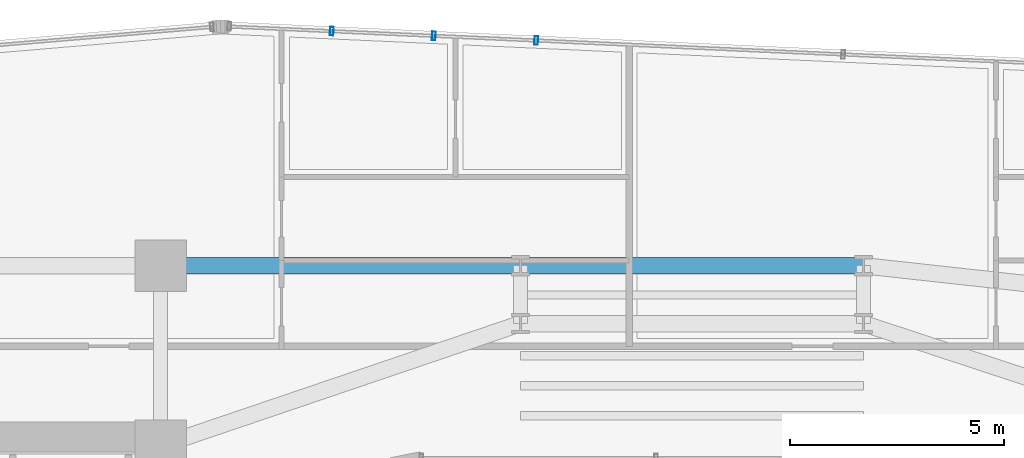
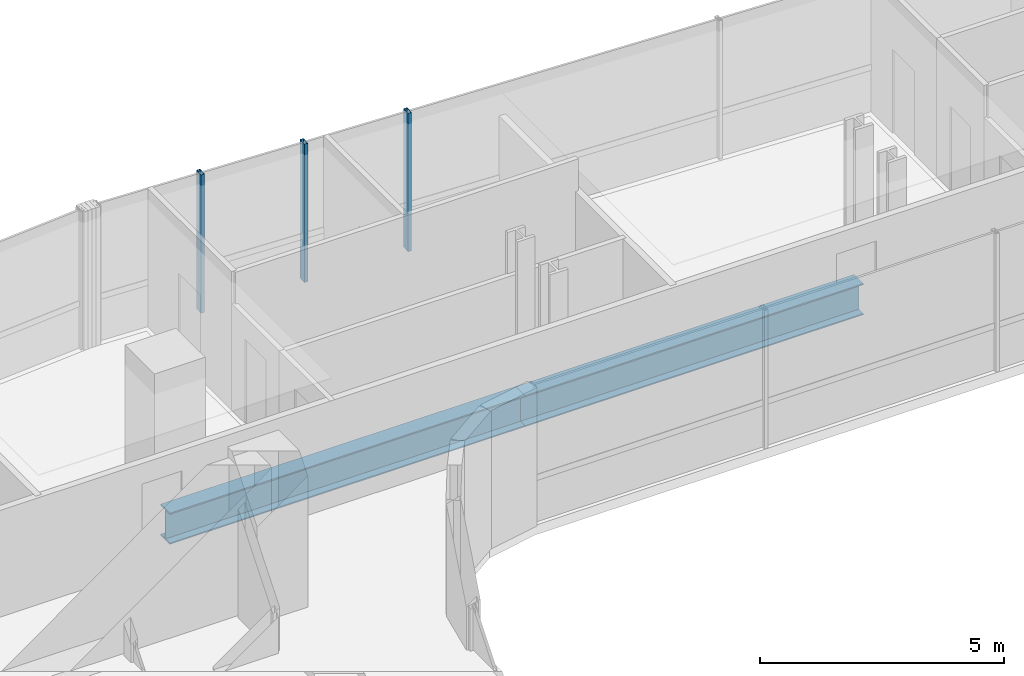
# One storey, part 20 of 35: 3 members, 2 beams, 1 element without a shape of its own.
"""IFC4 building model written with IfcOpenShell, lengths in metres."""

from ifc_helpers import new_model, si_unit, direction, frame, origin, origin_2d, place, context, subcontext, project, spatial, hollow_rectangle, i_section, extrude, source, transform, mapped, material, material_profile, profile_set, type_object, element, aggregate, save


model = new_model("IFC4")

# Units and contexts
model_context = context("Model", 3, precision=1e-05, world=origin(), true_north=direction((0.0, 1.0)))
body_context = subcontext(model_context, "Body", "Model", "MODEL_VIEW")
ifc_project = project(units=[si_unit("LENGTHUNIT", "METRE"), si_unit("AREAUNIT", "SQUARE_METRE"), si_unit("VOLUMEUNIT", "CUBIC_METRE"), si_unit("PLANEANGLEUNIT", "RADIAN"), si_unit("MASSUNIT", "GRAM", prefix="KILO")], contexts=[model_context])

# Site, building, storey
site_placement = place(None, origin())
site = spatial("IfcSite", under=ifc_project, at=site_placement, CompositionType="ELEMENT")
building_placement = place(site_placement, origin())
building = spatial("IfcBuilding", under=site, at=building_placement, Name="Valdorenza Pilgrim Sanctuary Tower", CompositionType="ELEMENT")
storey_placement = place(building_placement, frame((0.0, 0.0, 105.699951171875)))
storey = spatial("IfcBuildingStorey", under=building, at=storey_placement, Name="L26", CompositionType="ELEMENT", Elevation=105.699951171875)

# Beams
ifc_material_1 = material(Name="Steel ASTM A992 Grade 50", Category="steel")
ifc_material_profile_1 = material_profile(ifc_material_1, i_section(OverallWidth=0.382080078125, OverallDepth=0.779052734375, WebThickness=0.01806640625, FlangeThickness=0.030029296875, at=origin_2d()), Name="W30X191")
ifc_profile_set_1 = profile_set([ifc_material_profile_1], Name="Steel ASTM A992 Grade 50")
beam_type = type_object("IfcBeamType", Name="STR-BM-GRD-W30", PredefinedType="BEAM", material=ifc_profile_set_1)
shared_shape_1 = source(origin(), body_context, "Body", "SweptSolid", [
    extrude(i_section(OverallWidth=0.382080078125, OverallDepth=0.779052734375, WebThickness=0.01806640625, FlangeThickness=0.030029296875, at=origin_2d()), origin(), (0.0, 0.0, 1.0), 8.0),
])
beam_1_placement = place(storey_placement, frame((-4.0, 14.800048828125, -0.62939453125), z_axis=(1.0, 0.0, 0.0), x_axis=(0.0, 1.0, 0.0)))
element("IfcBeam", 1, at=beam_1_placement, inside=storey, type_object=beam_type, Name="L26 Floor Girder KNK-G5", PredefinedType="BEAM", context=body_context, shape_type="MappedRepresentation", body=[
    mapped(shared_shape_1, transform((0.0, 0.0, 0.0), x_axis=(1.0, 0.0, 0.0), y_axis=(0.0, 1.0, 0.0), z_axis=(0.0, 0.0, 1.0), scale=1.0)),
])
shared_shape_2 = source(origin(), body_context, "Body", "SweptSolid", [
    extrude(i_section(OverallWidth=0.382080078125, OverallDepth=0.779052734375, WebThickness=0.01806640625, FlangeThickness=0.030029296875, at=origin_2d()), origin(), (0.0, 0.0, 1.0), 8.39990234375),
])
beam_2_placement = place(storey_placement, frame((-12.39990234375, 14.800048828125, -0.62939453125), z_axis=(1.0, 0.0, 0.0), x_axis=(0.0, 1.0, 0.0)))
element("IfcBeam", 2, at=beam_2_placement, inside=storey, type_object=beam_type, Name="L26 Floor Girder KNK-G4", PredefinedType="BEAM", context=body_context, shape_type="MappedRepresentation", body=[
    mapped(shared_shape_2, transform((0.0, 0.0, 0.0), x_axis=(1.0, 0.0, 0.0), y_axis=(0.0, 1.0, 0.0), z_axis=(0.0, 0.0, 1.0), scale=1.0)),
])

# Curtain wall, members
ifc_material_2 = material(Name="Curtain-wall IGU glazing", Category="glass")
curtain_wall_type = type_object("IfcCurtainWallType", Name="CW-SYS-02", PredefinedType="NOTDEFINED", material=ifc_material_2)
curtain_wall_placement = place(storey_placement, origin())
curtain_wall = element("IfcCurtainWall", 3, at=curtain_wall_placement, inside=storey, type_object=curtain_wall_type, Name="L26 Curtain Wall CW-L26-1-11", PredefinedType="NOTDEFINED")
ifc_material_3 = material(Name="Anodised aluminium AW-6060", Category="aluminium")
ifc_material_profile_2 = material_profile(ifc_material_3, hollow_rectangle(XDim=0.0849609375, YDim=0.199951171875, WallThickness=0.0048828125, at=origin_2d()), Name="ALU-M 200x85x5")
ifc_profile_set_2 = profile_set([ifc_material_profile_2], Name="Anodised aluminium AW-6060")
member_type = type_object("IfcMemberType", Name="CW-MUL-02", PredefinedType="MULLION", material=ifc_profile_set_2)
shared_shape_3 = source(origin(), body_context, "Body", "SweptSolid", [
    extrude(hollow_rectangle(XDim=0.0849609375, YDim=0.199951171875, WallThickness=0.0048828125, at=origin_2d()), origin(), (0.0, 0.0, 1.0), 3.4599609375),
])
member_1_placement = place(storey_placement, frame((-3.6337890625, 20.05517578125, 0.0), z_axis=(0.0, 0.0, 1.0), x_axis=(0.998968193221, -0.045415294044, 0.0)))
member_1 = element("IfcMember", 4, at=member_1_placement, type_object=member_type, Name="CW-L26-1-11 Mullion 2", PredefinedType="MULLION", context=body_context, shape_type="MappedRepresentation", body=[
    mapped(shared_shape_3, transform((0.0, 0.0, 0.0), x_axis=(1.0, 0.0, 0.0), y_axis=(0.0, 1.0, 0.0), z_axis=(0.0, 0.0, 1.0), scale=1.0)),
])
member_2_placement = place(storey_placement, frame((-8.405029296875, 20.27197265625, 0.0), z_axis=(0.0, 0.0, 1.0), x_axis=(0.998968193221, -0.045415294044, 0.0)))
member_2 = element("IfcMember", 5, at=member_2_placement, type_object=member_type, Name="CW-L26-1-11 Sub-Mullion 42-1", PredefinedType="MULLION", context=body_context, shape_type="MappedRepresentation", body=[
    mapped(shared_shape_3, transform((0.0, 0.0, 0.0), x_axis=(1.0, 0.0, 0.0), y_axis=(0.0, 1.0, 0.0), z_axis=(0.0, 0.0, 1.0), scale=1.0)),
])
member_3_placement = place(storey_placement, frame((-6.0244140625, 20.163818359375, 0.0), z_axis=(0.0, 0.0, 1.0), x_axis=(0.998968193221, -0.045415294044, 0.0)))
member_3 = element("IfcMember", 6, at=member_3_placement, type_object=member_type, Name="CW-L26-1-11 Sub-Mullion 42-2", PredefinedType="MULLION", context=body_context, shape_type="MappedRepresentation", body=[
    mapped(shared_shape_3, transform((0.0, 0.0, 0.0), x_axis=(1.0, 0.0, 0.0), y_axis=(0.0, 1.0, 0.0), z_axis=(0.0, 0.0, 1.0), scale=1.0)),
])
aggregate(curtain_wall, [member_1, member_2, member_3])

save(model, "model.ifc")
